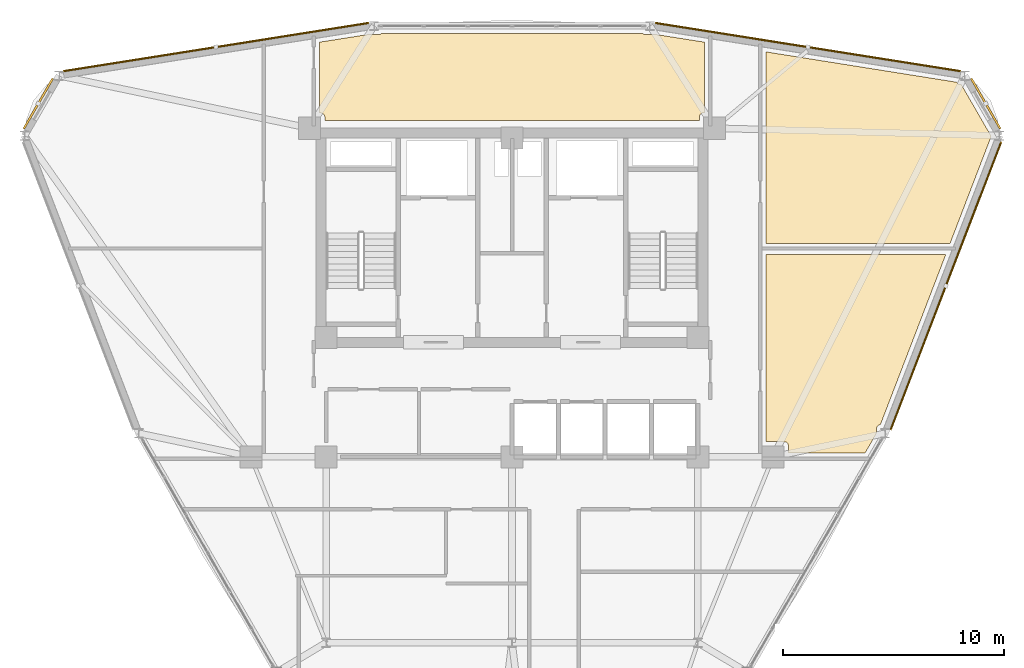
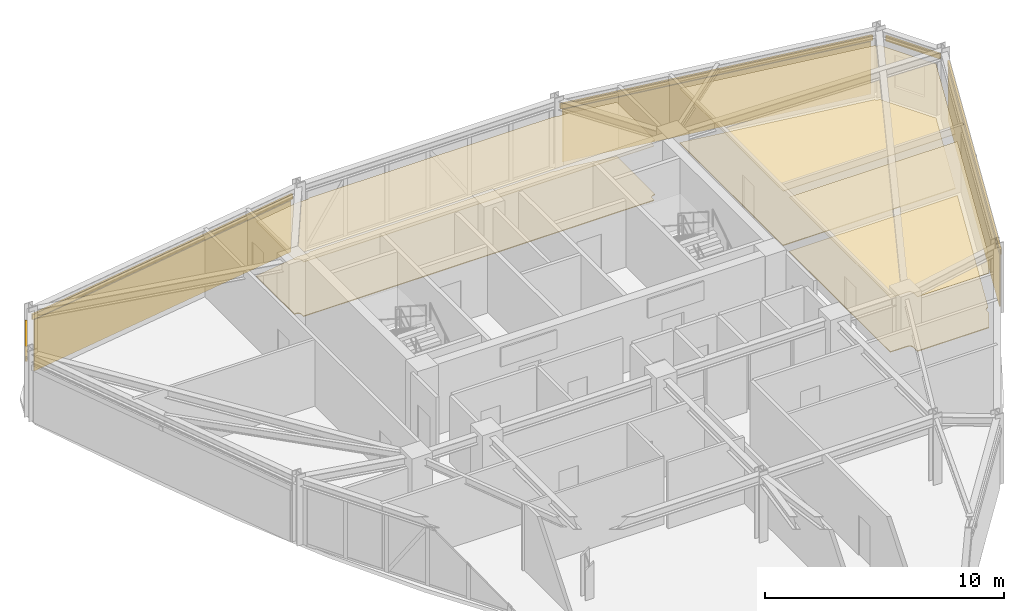
# One storey, part 14 of 14: 9 coverings, 5 shading devices.
"""IFC4 building model written with IfcOpenShell, lengths in metres."""

from ifc_helpers import new_model, si_unit, derived_unit, direction, frame, origin, origin_2d, place, context, subcontext, project, spatial, polyline, hollow_rectangle, outline, extrude, source, transform, mapped, material, layer, layer_set, material_profile, profile_set, type_object, element, save


model = new_model("IFC4")

# Units and contexts
model_context = context("Model", 3, precision=1e-05, world=origin(), true_north=direction((0.0, 1.0)))
body_context = subcontext(model_context, "Body", "Model", "MODEL_VIEW")
ifc_project = project(units=[si_unit("LENGTHUNIT", "METRE"), si_unit("AREAUNIT", "SQUARE_METRE"), si_unit("VOLUMEUNIT", "CUBIC_METRE"), si_unit("PLANEANGLEUNIT", "RADIAN"), si_unit("MASSUNIT", "GRAM", prefix="KILO"), derived_unit("THERMALTRANSMITTANCEUNIT", [(si_unit("POWERUNIT", "WATT"), 1), (si_unit("LENGTHUNIT", "METRE"), -2), (si_unit("THERMODYNAMICTEMPERATUREUNIT", "KELVIN"), -1)])], contexts=[model_context])

# Site, building, storey
site_placement = place(None, origin())
site = spatial("IfcSite", under=ifc_project, at=site_placement, CompositionType="ELEMENT")
building_placement = place(site_placement, origin())
building = spatial("IfcBuilding", under=site, at=building_placement, Name="Korsvarv Bourse and Concert Hall", CompositionType="ELEMENT")
storey_placement = place(building_placement, frame((0.0, 0.0, 193.800048828125)))
storey = spatial("IfcBuildingStorey", under=building, at=storey_placement, Name="L50", CompositionType="ELEMENT", Elevation=193.800048828125)

# Coverings
ifc_material_1 = material(Name="Perforated mineral-wool and birch acoustic baffle ceiling", Category="wood")
ifc_layer_1 = layer(ifc_material_1, 0.02490234375)
ifc_layer_set_1 = layer_set([ifc_layer_1], Name="Perforated mineral-wool and birch acoustic baffle ceiling")
covering_type_1 = type_object("IfcCoveringType", Name="COV-CEIL-1", PredefinedType="CEILING", material=ifc_layer_set_1)
covering_1_placement = place(storey_placement, frame((0.0, 0.0, 2.780029296875)))
element("IfcCovering", 1, at=covering_1_placement, inside=storey, type_object=covering_type_1, Name="L50 acoustic baffle ceiling 1", PredefinedType="CEILING", context=body_context, shape_type="SweptSolid", body=[
    extrude(outline(polyline([(56.0947265625, 49.327880859375), (56.115234375, 49.298095703125), (56.14111328125, 49.273193359375), (56.171630859375, 49.253662109375), (56.205322265625, 49.24072265625), (56.24072265625, 49.23486328125), (56.298828125, 49.231201171875), (57.63720703125, 46.9130859375), (57.63720703125, 46.837646484375), (55.797607421875, 42.050048828125), (47.47998046875, 42.050048828125), (47.47998046875, 50.6982421875), (56.0947265625, 49.327880859375)])), origin(), (0.0, 0.0, 1.0), 0.02490234375),
])
covering_2_placement = place(storey_placement, frame((0.0, 0.0, 2.780029296875)))
element("IfcCovering", 2, at=covering_2_placement, inside=storey, type_object=covering_type_1, Name="L50 acoustic baffle ceiling 2", PredefinedType="CEILING", context=body_context, shape_type="SweptSolid", body=[
    extrude(outline(polyline([(29.509033203125, 51.48681640625), (29.5341796875, 51.48193359375), (29.966796875, 51.473876953125), (30.003173828125, 51.476806640625), (30.0380859375, 51.4873046875), (30.070068359375, 51.50439453125), (30.09814453125, 51.527587890625), (41.89794921875, 51.53173828125), (41.91796875, 51.515625), (41.9482421875, 51.498779296875), (41.981201171875, 51.488037109375), (42.015869140625, 51.48388671875), (42.431884765625, 51.473876953125), (42.466796875, 51.476318359375), (42.499755859375, 51.485595703125), (44.7099609375, 51.135986328125), (44.7099609375, 47.93994140625), (44.64990234375, 47.93994140625), (44.615478515625, 47.936767578125), (44.582275390625, 47.9267578125), (44.5517578125, 47.910888671875), (44.524658203125, 47.88916015625), (44.502197265625, 47.86279296875), (44.4853515625, 47.83251953125), (44.474365234375, 47.799560546875), (44.47021484375, 47.765380859375), (44.465087890625, 47.60009765625), (27.5400390625, 47.60009765625), (27.5400390625, 47.75), (27.53662109375, 47.7841796875), (27.527099609375, 47.817138671875), (27.510986328125, 47.84765625), (27.48974609375, 47.874755859375), (27.463623046875, 47.897216796875), (27.433837890625, 47.914306640625), (27.4013671875, 47.92529296875), (27.3671875, 47.929931640625), (27.2900390625, 47.932861328125), (27.2900390625, 51.135986328125), (29.509033203125, 51.48681640625)])), origin(), (0.0, 0.0, 1.0), 0.02490234375),
])
covering_3_placement = place(storey_placement, frame((0.0, 0.0, 2.780029296875)))
element("IfcCovering", 3, at=covering_3_placement, inside=storey, type_object=covering_type_1, Name="L50 acoustic baffle ceiling 3", PredefinedType="CEILING", context=body_context, shape_type="SweptSolid", body=[
    extrude(outline(polyline([(48.489990234375, 32.570068359375), (48.489990234375, 32.89990234375), (48.486572265625, 32.934814453125), (48.4765625, 32.968505859375), (48.4599609375, 32.99951171875), (48.43798828125, 33.026611328125), (48.410888671875, 33.049072265625), (48.380126953125, 33.06591796875), (48.3466796875, 33.076171875), (48.311767578125, 33.080078125), (47.47998046875, 33.088134765625), (47.47998046875, 41.550048828125), (55.60546875, 41.550048828125), (52.650390625, 33.85986328125), (52.62451171875, 33.85693359375), (52.591552734375, 33.84716796875), (52.56103515625, 33.831298828125), (52.533935546875, 33.809814453125), (52.51171875, 33.78369140625), (52.49462890625, 33.753662109375), (52.483642578125, 33.72119140625), (52.47900390625, 33.68701171875), (52.470703125, 33.464599609375), (51.95361328125, 32.5693359375), (48.489990234375, 32.570068359375)])), origin(), (0.0, 0.0, 1.0), 0.02490234375),
])
ifc_material_2 = material(Name="Warm iron-oxide extruded terracotta rainscreen tile", Category="ceramic")
ifc_layer_2 = layer(ifc_material_2, 0.044921875)
ifc_layer_set_2 = layer_set([ifc_layer_2], Name="Warm iron-oxide extruded terracotta rainscreen tile")
covering_type_2 = type_object("IfcCoveringType", Name="COV-CLD-TC", PredefinedType="CLADDING", material=ifc_layer_set_2)
covering_4_placement = place(storey_placement, origin())
element("IfcCovering", 4, at=covering_4_placement, inside=storey, type_object=covering_type_2, Name="L50 fluted terracotta cladding panel EW-L50-B02", PredefinedType="CLADDING", context=body_context, shape_type="SweptSolid", body=[
    extrude(outline(polyline([(56.19970703125, 49.80126953125), (42.541259765625, 51.959716796875), (42.548095703125, 52.004150390625), (56.20654296875, 49.845703125), (56.19970703125, 49.80126953125)])), origin(), (0.0, 0.0, 1.0), 2.68994140625),
])
covering_5_placement = place(storey_placement, origin())
element("IfcCovering", 5, at=covering_5_placement, inside=storey, type_object=covering_type_2, Name="L50 fluted terracotta cladding panel EW-L50-B04", PredefinedType="CLADDING", context=body_context, shape_type="SweptSolid", body=[
    extrude(outline(polyline([(29.458740234375, 51.959716796875), (15.80029296875, 49.80126953125), (15.79345703125, 49.845703125), (29.451904296875, 52.004150390625), (29.458740234375, 51.959716796875)])), origin(), (0.0, 0.0, 1.0), 2.6298828125),
])
covering_6_placement = place(storey_placement, origin())
element("IfcCovering", 6, at=covering_6_placement, inside=storey, type_object=covering_type_2, Name="L50 fluted terracotta cladding panel EW-L50-B12", PredefinedType="CLADDING", context=body_context, shape_type="SweptSolid", body=[
    extrude(outline(polyline([(53.098388671875, 33.701416015625), (58.045654296875, 46.576416015625), (58.087646484375, 46.560302734375), (53.140380859375, 33.685302734375), (53.098388671875, 33.701416015625)])), origin(), (0.0, 0.0, 1.0), 2.68994140625),
])
ifc_material_3 = material(Name="Calcium-sulphate raised access trading floor with Nordic oak top", Category="wood")
ifc_layer_3 = layer(ifc_material_3, 0.0400390625)
ifc_layer_set_3 = layer_set([ifc_layer_3], Name="Calcium-sulphate raised access trading floor with Nordic oak top")
covering_type_3 = type_object("IfcCoveringType", Name="COV-FLOR-1", PredefinedType="FLOORING", material=ifc_layer_set_3)
covering_7_placement = place(storey_placement, origin())
element("IfcCovering", 7, at=covering_7_placement, inside=storey, type_object=covering_type_3, Name="L50 raised access oak floor finish 1", PredefinedType="FLOORING", context=body_context, shape_type="SweptSolid", body=[
    extrude(outline(polyline([(56.0947265625, 49.327880859375), (56.115234375, 49.298095703125), (56.14111328125, 49.273193359375), (56.171630859375, 49.253662109375), (56.205322265625, 49.24072265625), (56.24072265625, 49.23486328125), (56.298828125, 49.231201171875), (57.63720703125, 46.9130859375), (57.63720703125, 46.837646484375), (55.797607421875, 42.050048828125), (47.47998046875, 42.050048828125), (47.47998046875, 50.6982421875), (56.0947265625, 49.327880859375)])), origin(), (0.0, 0.0, 1.0), 0.0400390625),
])
covering_8_placement = place(storey_placement, origin())
element("IfcCovering", 8, at=covering_8_placement, inside=storey, type_object=covering_type_3, Name="L50 raised access oak floor finish 2", PredefinedType="FLOORING", context=body_context, shape_type="SweptSolid", body=[
    extrude(outline(polyline([(29.509033203125, 51.48681640625), (29.5341796875, 51.48193359375), (29.966796875, 51.473876953125), (30.003173828125, 51.476806640625), (30.0380859375, 51.4873046875), (30.070068359375, 51.50439453125), (30.09814453125, 51.527587890625), (41.89794921875, 51.53173828125), (41.91796875, 51.515625), (41.9482421875, 51.498779296875), (41.981201171875, 51.488037109375), (42.015869140625, 51.48388671875), (42.431884765625, 51.473876953125), (42.466796875, 51.476318359375), (42.499755859375, 51.485595703125), (44.7099609375, 51.135986328125), (44.7099609375, 47.93994140625), (44.64990234375, 47.93994140625), (44.615478515625, 47.936767578125), (44.582275390625, 47.9267578125), (44.5517578125, 47.910888671875), (44.524658203125, 47.88916015625), (44.502197265625, 47.86279296875), (44.4853515625, 47.83251953125), (44.474365234375, 47.799560546875), (44.47021484375, 47.765380859375), (44.465087890625, 47.60009765625), (27.5400390625, 47.60009765625), (27.5400390625, 47.75), (27.53662109375, 47.7841796875), (27.527099609375, 47.817138671875), (27.510986328125, 47.84765625), (27.48974609375, 47.874755859375), (27.463623046875, 47.897216796875), (27.433837890625, 47.914306640625), (27.4013671875, 47.92529296875), (27.3671875, 47.929931640625), (27.2900390625, 47.932861328125), (27.2900390625, 51.135986328125), (29.509033203125, 51.48681640625)])), origin(), (0.0, 0.0, 1.0), 0.0400390625),
])
covering_9_placement = place(storey_placement, origin())
element("IfcCovering", 9, at=covering_9_placement, inside=storey, type_object=covering_type_3, Name="L50 raised access oak floor finish 3", PredefinedType="FLOORING", context=body_context, shape_type="SweptSolid", body=[
    extrude(outline(polyline([(48.489990234375, 32.570068359375), (48.489990234375, 32.89990234375), (48.486572265625, 32.934814453125), (48.4765625, 32.968505859375), (48.4599609375, 32.99951171875), (48.43798828125, 33.026611328125), (48.410888671875, 33.049072265625), (48.380126953125, 33.06591796875), (48.3466796875, 33.076171875), (48.311767578125, 33.080078125), (47.47998046875, 33.088134765625), (47.47998046875, 41.550048828125), (55.60546875, 41.550048828125), (52.650390625, 33.85986328125), (52.62451171875, 33.85693359375), (52.591552734375, 33.84716796875), (52.56103515625, 33.831298828125), (52.533935546875, 33.809814453125), (52.51171875, 33.78369140625), (52.49462890625, 33.753662109375), (52.483642578125, 33.72119140625), (52.47900390625, 33.68701171875), (52.470703125, 33.464599609375), (51.95361328125, 32.5693359375), (48.489990234375, 32.570068359375)])), origin(), (0.0, 0.0, 1.0), 0.0400390625),
])

# Shading devices
ifc_material_4 = material(Name="Glazed extruded architectural terracotta", Category="ceramic")
ifc_material_profile = material_profile(ifc_material_4, hollow_rectangle(XDim=0.090087890625, YDim=0.260009765625, WallThickness=0.011962890625, at=origin_2d()), Name="TC-BAG 90x260")
ifc_profile_set = profile_set([ifc_material_profile], Name="Glazed extruded architectural terracotta")
shading_device_type = type_object("IfcShadingDeviceType", Name="SHD-BAG-1", PredefinedType="USERDEFINED", material=ifc_profile_set)
shared_shape_1 = source(origin(), body_context, "Body", "SweptSolid", [
    extrude(hollow_rectangle(XDim=0.090087890625, YDim=0.260009765625, WallThickness=0.011962890625, at=origin_2d()), origin(), (0.0, 0.0, 1.0), 2.63720703125),
])
for number, where, z_axis, x_axis, name in (
    (10, (58.0673828125, 47.218017578125, 2.849853515625), (-0.499992239852, 0.866029884062, 0.0), (-0.866029884062, -0.499992239852, 0.0), "L50 terracotta baguette sunshade EW-L50-B01"),
    (11, (15.251220703125, 49.501953125, 2.849853515625), (-0.499992239852, -0.866029884062, 0.0), (0.866029884062, -0.499992239852, 0.0), "L50 terracotta baguette sunshade EW-L50-B05"),
):
    element("IfcShadingDevice", number, at=place(storey_placement, frame(where, z_axis=z_axis, x_axis=x_axis)), inside=storey, type_object=shading_device_type, Name=name, ObjectType="BAGUETTE", PredefinedType="USERDEFINED", context=body_context, shape_type="MappedRepresentation", body=[
        mapped(shared_shape_1, transform((0.0, 0.0, 0.0), scale=1.0)),
    ])
shared_shape_2 = source(origin(), body_context, "Body", "SweptSolid", [
    extrude(hollow_rectangle(XDim=0.090087890625, YDim=0.260009765625, WallThickness=0.011962890625, at=origin_2d()), origin(), (0.0, 0.0, 1.0), 13.98779296875),
])
for number, where, z_axis, x_axis, name in (
    (12, (56.284912109375, 49.828369140625, 2.849853515625), (-0.987743003355, 0.15608894683, 0.0), (-0.15608894683, -0.987743003355, 0.0), "L50 terracotta baguette sunshade EW-L50-B02"),
    (13, (29.531494140625, 52.01171875, 2.7900390625), (-0.987743003355, -0.15608894683, 0.0), (0.15608894683, -0.987743003355, 0.0), "L50 terracotta baguette sunshade EW-L50-B04"),
):
    element("IfcShadingDevice", number, at=place(storey_placement, frame(where, z_axis=z_axis, x_axis=x_axis)), inside=storey, type_object=shading_device_type, Name=name, ObjectType="BAGUETTE", PredefinedType="USERDEFINED", context=body_context, shape_type="MappedRepresentation", body=[
        mapped(shared_shape_2, transform((0.0, 0.0, 0.0), scale=1.0)),
    ])
shared_shape_3 = source(origin(), body_context, "Body", "SweptSolid", [
    extrude(hollow_rectangle(XDim=0.090087890625, YDim=0.260009765625, WallThickness=0.011962890625, at=origin_2d()), origin(), (0.0, 0.0, 1.0), 13.952880859375),
])
shading_device_placement = place(storey_placement, frame((53.107177734375, 33.6123046875, 2.849853515625), z_axis=(0.358682414456, 0.933459653954, 0.0), x_axis=(-0.933459653954, 0.358682414456, 0.0)))
element("IfcShadingDevice", 14, at=shading_device_placement, inside=storey, type_object=shading_device_type, Name="L50 terracotta baguette sunshade EW-L50-B12", ObjectType="BAGUETTE", PredefinedType="USERDEFINED", context=body_context, shape_type="MappedRepresentation", body=[
    mapped(shared_shape_3, transform((0.0, 0.0, 0.0), scale=1.0)),
])

save(model, "model.ifc")
